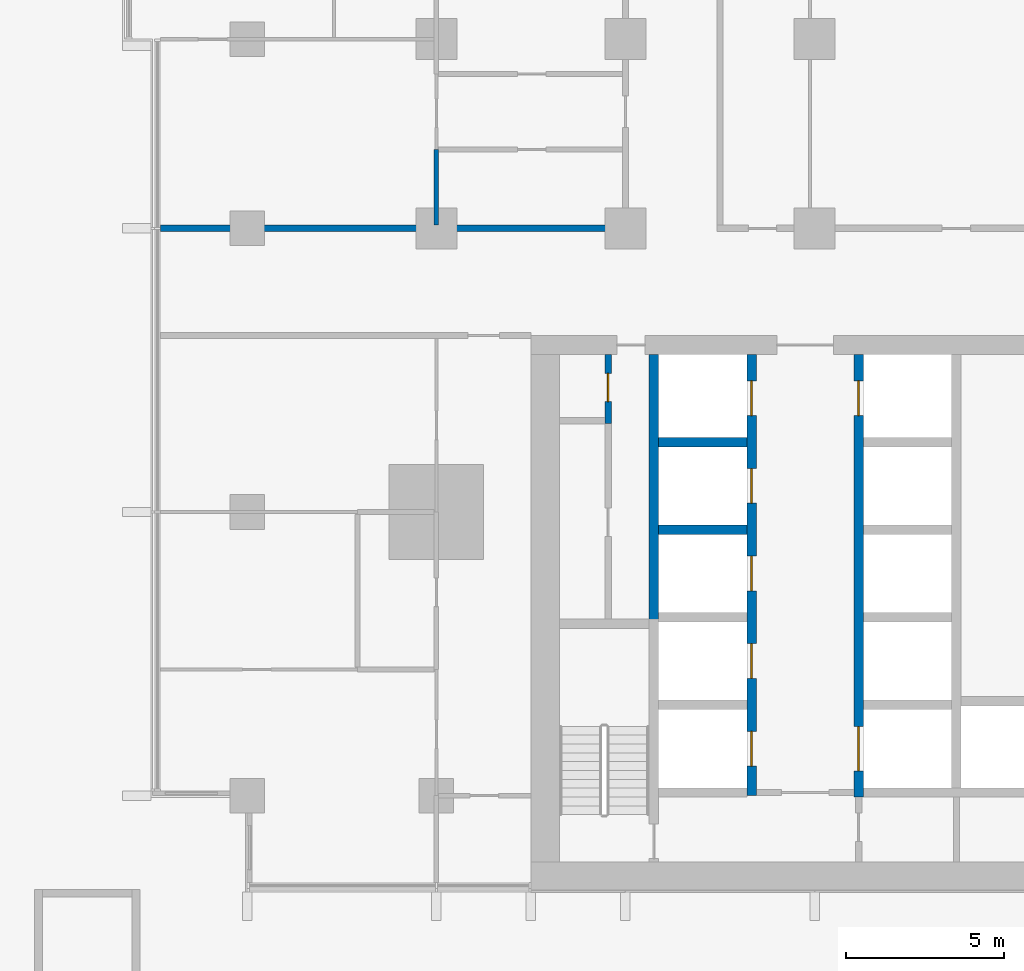
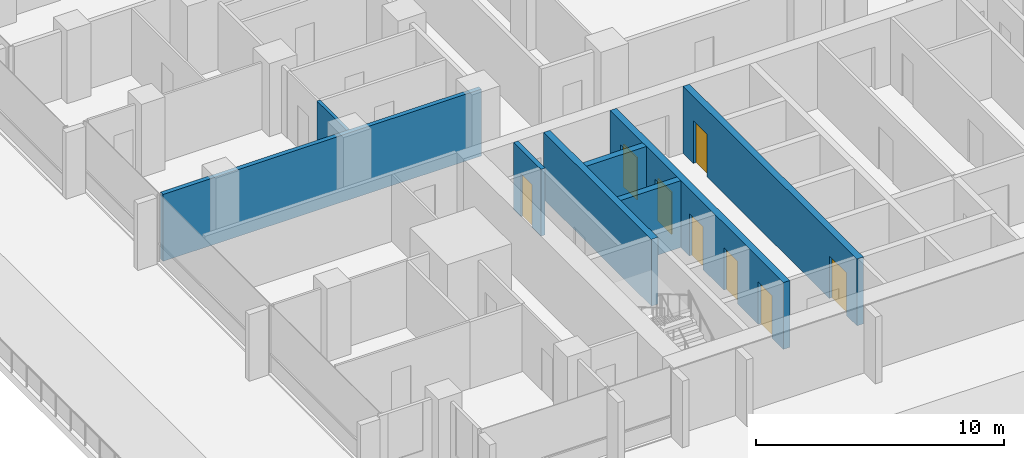
# One storey, part 10 of 25: 8 doors, 8 walls, 8 openings.
"""IFC4 building model written with IfcOpenShell, lengths in metres."""

from ifc_helpers import new_model, si_unit, direction, frame, frame_2d, origin, place, context, subcontext, project, spatial, rectangle, extrude, material, layer, layer_set, type_object, element, fill, save


model = new_model("IFC4")

# Units and contexts
model_context = context("Model", 3, precision=1e-05, world=origin(), true_north=direction((0.0, 1.0)))
body_context = subcontext(model_context, "Body", "Model", "MODEL_VIEW")
ifc_project = project(units=[si_unit("LENGTHUNIT", "METRE"), si_unit("AREAUNIT", "SQUARE_METRE"), si_unit("VOLUMEUNIT", "CUBIC_METRE"), si_unit("PLANEANGLEUNIT", "RADIAN"), si_unit("MASSUNIT", "GRAM", prefix="KILO")], contexts=[model_context])

# Site, building, storey
site_placement = place(None, origin())
site = spatial("IfcSite", under=ifc_project, at=site_placement, CompositionType="ELEMENT")
building_placement = place(site_placement, origin())
building = spatial("IfcBuilding", under=site, at=building_placement, Name="Finial Court Residences", CompositionType="ELEMENT")
storey_placement = place(building_placement, frame((0.0, 0.0, 32.5)))
storey = spatial("IfcBuildingStorey", under=building, at=storey_placement, Name="L06", CompositionType="ELEMENT", Elevation=32.5)

# Walls
ifc_material_1 = material(Name="Gypsum board")
ifc_layer_1 = layer(ifc_material_1, 0.02490234375)
ifc_material_2 = material(Name="Acoustic mineral wool in double frame")
ifc_layer_2 = layer(ifc_material_2, 0.14990234375)
ifc_layer_3 = layer(ifc_material_1, 0.02490234375)
ifc_layer_set_1 = layer_set([ifc_layer_1, ifc_layer_2, ifc_layer_3], Name="Corridor wall 200, 1 hour")
wall_type_1 = type_object("IfcWallType", Name="Corridor wall 200, 1 hour", PredefinedType="PARTITIONING", material=ifc_layer_set_1)
wall_1_placement = place(storey_placement, frame((-25.25, -4.5, 0.0), z_axis=(0.0, 0.0, 1.0), x_axis=(1.0, 0.0, 0.0)))
element("IfcWall", 1, at=wall_1_placement, inside=storey, type_object=wall_type_1, Name="Partition L06-011", PredefinedType="PARTITIONING", context=body_context, shape_type="SweptSolid", body=[
    extrude(rectangle(XDim=14.85009765625, YDim=0.199951171875, at=frame_2d((7.425048828125, 0.0))), origin(), (0.0, 0.0, 1.0), 3.300048828125),
])
ifc_material_3 = material(Name="Moisture-resistant gypsum board")
ifc_layer_4 = layer(ifc_material_3, 0.012451171875)
ifc_material_4 = material(Name="Mineral wool in light-gauge frame")
ifc_layer_5 = layer(ifc_material_4, 0.125)
ifc_layer_6 = layer(ifc_material_3, 0.012451171875)
ifc_layer_set_2 = layer_set([ifc_layer_4, ifc_layer_5, ifc_layer_6], Name="Gypsum board wet-area partition 150")
wall_type_2 = type_object("IfcWallType", Name="Gypsum board wet-area partition 150", PredefinedType="PARTITIONING", material=ifc_layer_set_2)
wall_2_placement = place(storey_placement, frame((-16.5, -4.39990234375, 0.0), z_axis=(0.0, 0.0, 1.0), x_axis=(0.0, 1.0, 0.0)))
element("IfcWall", 2, at=wall_2_placement, inside=storey, type_object=wall_type_2, Name="Partition L06-058", PredefinedType="PARTITIONING", context=body_context, shape_type="SweptSolid", body=[
    extrude(rectangle(XDim=2.39990234375, YDim=0.14990234375, at=frame_2d((1.199951171875, 0.0))), origin(), (0.0, 0.0, 1.0), 3.300048828125),
])
ifc_material_5 = material(Name="Concrete C80/95", Category="concrete")
ifc_layer_7 = layer(ifc_material_5, 0.300048828125)
ifc_layer_set_3 = layer_set([ifc_layer_7], Name="Lift shaft and stair wall 300 Concrete C80/95")
wall_type_3 = type_object("IfcWallType", Name="Lift shaft and stair wall 300 Concrete C80/95", PredefinedType="SHEAR", material=ifc_layer_set_3)
for number, where, z_axis, x_axis, name in (
    (3, (-9.449951171875, -14.06005859375, 0.0), (0.0, 0.0, 1.0), (1.0, 0.0, 0.0), "Core wall L06-14"),
    (4, (-9.449951171875, -11.280029296875, 0.0), (0.0, 0.0, 1.0), (1.0, 0.0, 0.0), "Core wall L06-17"),
):
    element("IfcWall", number, at=place(storey_placement, frame(where, z_axis=z_axis, x_axis=x_axis)), inside=storey, type_object=wall_type_3, Name=name, PredefinedType="SHEAR", context=body_context, shape_type="SweptSolid", body=[
        extrude(rectangle(XDim=2.800048828125, YDim=0.300048828125, at=frame_2d((1.39990234375, 0.0))), origin(), (0.0, 0.0, 1.0), 3.300048828125),
    ])
wall_3_placement = place(storey_placement, frame((-9.60009765625, -17.199951171875, 0.0), z_axis=(0.0, 0.0, 1.0), x_axis=(0.0, 1.0, 0.0)))
element("IfcWall", 5, at=wall_3_placement, inside=storey, type_object=wall_type_3, Name="Core wall L06-24", PredefinedType="SHEAR", context=body_context, shape_type="SweptSolid", body=[
    extrude(rectangle(XDim=8.699951171875, YDim=0.300048828125, at=frame_2d((4.35009765625, 0.0))), origin(), (0.0, 0.0, 1.0), 3.300048828125),
])

# Wall, openings, doors
wall_4_placement = place(storey_placement, frame((-6.5, -22.5, 0.0), z_axis=(0.0, 0.0, 1.0), x_axis=(0.0, 1.0, 0.0)))
wall_4 = element("IfcWall", 6, at=wall_4_placement, inside=storey, type_object=wall_type_3, Name="Core wall L06-25", PredefinedType="SHEAR", context=body_context, shape_type="SweptSolid", body=[
    extrude(rectangle(XDim=14.0, YDim=0.300048828125, at=frame_2d((7.0, 0.0))), origin(), (0.0, 0.0, 1.0), 3.300048828125),
])
opening_1_placement = place(wall_4_placement, frame((0.93994140625, 0.0, 0.0)))
opening_1 = element("IfcOpeningElement", 7, at=opening_1_placement, cuts=wall_4, Name="Opening L06-LD03", PredefinedType="OPENING", context=body_context, shape_type="SweptSolid", body=[
    extrude(rectangle(XDim=1.10009765625, YDim=2.10009765625, at=frame_2d((0.550048828125, 1.050048828125))), frame((0.0, 0.159912109375, 0.0), z_axis=(0.0, -1.0, 0.0), x_axis=(1.0, 0.0, 0.0)), (0.0, 0.0, 1.0), 0.320068359375),
])
opening_2_placement = place(wall_4_placement, frame((3.719970703125, 0.0, 0.0)))
opening_2 = element("IfcOpeningElement", 8, at=opening_2_placement, cuts=wall_4, Name="Opening L06-LD04", PredefinedType="OPENING", context=body_context, shape_type="SweptSolid", body=[
    extrude(rectangle(XDim=1.10009765625, YDim=2.10009765625, at=frame_2d((0.550048828125, 1.050048828125))), frame((0.0, 0.159912109375, 0.0), z_axis=(0.0, -1.0, 0.0), x_axis=(1.0, 0.0, 0.0)), (0.0, 0.0, 1.0), 0.320068359375),
])
opening_3_placement = place(wall_4_placement, frame((6.5, 0.0, 0.0)))
opening_3 = element("IfcOpeningElement", 9, at=opening_3_placement, cuts=wall_4, Name="Opening L06-LD05", PredefinedType="OPENING", context=body_context, shape_type="SweptSolid", body=[
    extrude(rectangle(XDim=1.10009765625, YDim=2.10009765625, at=frame_2d((0.550048828125, 1.050048828125))), frame((0.0, 0.159912109375, 0.0), z_axis=(0.0, -1.0, 0.0), x_axis=(1.0, 0.0, 0.0)), (0.0, 0.0, 1.0), 0.320068359375),
])
opening_4_placement = place(wall_4_placement, frame((9.280029296875, 0.0, 0.0)))
opening_4 = element("IfcOpeningElement", 10, at=opening_4_placement, cuts=wall_4, Name="Opening L06-LD06", PredefinedType="OPENING", context=body_context, shape_type="SweptSolid", body=[
    extrude(rectangle(XDim=1.10009765625, YDim=2.10009765625, at=frame_2d((0.550048828125, 1.050048828125))), frame((0.0, 0.159912109375, 0.0), z_axis=(0.0, -1.0, 0.0), x_axis=(1.0, 0.0, 0.0)), (0.0, 0.0, 1.0), 0.320068359375),
])
opening_5_placement = place(wall_4_placement, frame((12.06005859375, 0.0, 0.0)))
opening_5 = element("IfcOpeningElement", 11, at=opening_5_placement, cuts=wall_4, Name="Opening L06-LD07", PredefinedType="OPENING", context=body_context, shape_type="SweptSolid", body=[
    extrude(rectangle(XDim=1.10009765625, YDim=2.10009765625, at=frame_2d((0.550048828125, 1.050048828125))), frame((0.0, 0.159912109375, 0.0), z_axis=(0.0, -1.0, 0.0), x_axis=(1.0, 0.0, 0.0)), (0.0, 0.0, 1.0), 0.320068359375),
])
ifc_material_6 = material(Name="Stainless steel lift door", Category="steel")
door_type_1 = type_object("IfcDoorType", Name="Lift landing door 1100 x 2100 EI 90", OperationType="DOUBLE_DOOR_SLIDING", PredefinedType="DOOR", material=ifc_material_6)
door_1_placement = place(opening_1_placement, origin())
door_1 = element("IfcDoor", 12, at=door_1_placement, inside=storey, type_object=door_type_1, Name="Lift landing door LR1 L06", OperationType="DOUBLE_DOOR_SLIDING", OverallHeight=2.10009765625, OverallWidth=1.10009765625, PredefinedType="DOOR", context=body_context, shape_type="SweptSolid", body=[
    extrude(rectangle(XDim=1.10009765625, YDim=2.10009765625, at=frame_2d((0.550048828125, 1.050048828125))), frame((0.0, 0.02490234375, 0.0), z_axis=(0.0, -1.0, 0.0), x_axis=(1.0, 0.0, 0.0)), (0.0, 0.0, 1.0), 0.050048828125),
])
fill(opening_1, door_1)
door_2_placement = place(opening_2_placement, origin())
door_2 = element("IfcDoor", 13, at=door_2_placement, inside=storey, type_object=door_type_1, Name="Lift landing door LR2 L06", OperationType="DOUBLE_DOOR_SLIDING", OverallHeight=2.10009765625, OverallWidth=1.10009765625, PredefinedType="DOOR", context=body_context, shape_type="SweptSolid", body=[
    extrude(rectangle(XDim=1.10009765625, YDim=2.10009765625, at=frame_2d((0.550048828125, 1.050048828125))), frame((0.0, 0.02490234375, 0.0), z_axis=(0.0, -1.0, 0.0), x_axis=(1.0, 0.0, 0.0)), (0.0, 0.0, 1.0), 0.050048828125),
])
fill(opening_2, door_2)
door_3_placement = place(opening_3_placement, origin())
door_3 = element("IfcDoor", 14, at=door_3_placement, inside=storey, type_object=door_type_1, Name="Lift landing door LR3 L06", OperationType="DOUBLE_DOOR_SLIDING", OverallHeight=2.10009765625, OverallWidth=1.10009765625, PredefinedType="DOOR", context=body_context, shape_type="SweptSolid", body=[
    extrude(rectangle(XDim=1.10009765625, YDim=2.10009765625, at=frame_2d((0.550048828125, 1.050048828125))), frame((0.0, 0.02490234375, 0.0), z_axis=(0.0, -1.0, 0.0), x_axis=(1.0, 0.0, 0.0)), (0.0, 0.0, 1.0), 0.050048828125),
])
fill(opening_3, door_3)
door_4_placement = place(opening_4_placement, origin())
door_4 = element("IfcDoor", 15, at=door_4_placement, inside=storey, type_object=door_type_1, Name="Lift landing door LR4 L06", OperationType="DOUBLE_DOOR_SLIDING", OverallHeight=2.10009765625, OverallWidth=1.10009765625, PredefinedType="DOOR", context=body_context, shape_type="SweptSolid", body=[
    extrude(rectangle(XDim=1.10009765625, YDim=2.10009765625, at=frame_2d((0.550048828125, 1.050048828125))), frame((0.0, 0.02490234375, 0.0), z_axis=(0.0, -1.0, 0.0), x_axis=(1.0, 0.0, 0.0)), (0.0, 0.0, 1.0), 0.050048828125),
])
fill(opening_4, door_4)
door_5_placement = place(opening_5_placement, origin())
door_5 = element("IfcDoor", 16, at=door_5_placement, inside=storey, type_object=door_type_1, Name="Lift landing door LR5 L06", OperationType="DOUBLE_DOOR_SLIDING", OverallHeight=2.10009765625, OverallWidth=1.10009765625, PredefinedType="DOOR", context=body_context, shape_type="SweptSolid", body=[
    extrude(rectangle(XDim=1.10009765625, YDim=2.10009765625, at=frame_2d((0.550048828125, 1.050048828125))), frame((0.0, 0.02490234375, 0.0), z_axis=(0.0, -1.0, 0.0), x_axis=(1.0, 0.0, 0.0)), (0.0, 0.0, 1.0), 0.050048828125),
])
fill(opening_5, door_5)

wall_5_placement = place(storey_placement, frame((-3.10009765625, -22.550048828125, 0.0), z_axis=(0.0, 0.0, 1.0), x_axis=(0.0, 1.0, 0.0)))
wall_5 = element("IfcWall", 17, at=wall_5_placement, inside=storey, type_object=wall_type_3, Name="Core wall L06-27", PredefinedType="SHEAR", context=body_context, shape_type="SweptSolid", body=[
    extrude(rectangle(XDim=14.050048828125, YDim=0.300048828125, at=frame_2d((7.02490234375, 0.0))), origin(), (0.0, 0.0, 1.0), 3.300048828125),
])
opening_6_placement = place(wall_5_placement, frame((12.110107421875, 0.0, 0.0)))
opening_6 = element("IfcOpeningElement", 18, at=opening_6_placement, cuts=wall_5, Name="Opening L06-LD08", PredefinedType="OPENING", context=body_context, shape_type="SweptSolid", body=[
    extrude(rectangle(XDim=1.10009765625, YDim=2.10009765625, at=frame_2d((0.550048828125, 1.050048828125))), frame((0.0, 0.159912109375, 0.0), z_axis=(0.0, -1.0, 0.0), x_axis=(1.0, 0.0, 0.0)), (0.0, 0.0, 1.0), 0.320068359375),
])
opening_7_placement = place(wall_5_placement, frame((0.840087890625, 0.0, 0.0)))
opening_7 = element("IfcOpeningElement", 19, at=opening_7_placement, cuts=wall_5, Name="Opening L06-LD09", PredefinedType="OPENING", context=body_context, shape_type="SweptSolid", body=[
    extrude(rectangle(XDim=1.39990234375, YDim=2.10009765625, at=frame_2d((0.699951171875, 1.050048828125))), frame((0.0, 0.159912109375, 0.0), z_axis=(0.0, -1.0, 0.0), x_axis=(1.0, 0.0, 0.0)), (0.0, 0.0, 1.0), 0.320068359375),
])
door_6_placement = place(opening_6_placement, origin())
door_6 = element("IfcDoor", 20, at=door_6_placement, inside=storey, type_object=door_type_1, Name="Lift landing door LR6 L06", OperationType="DOUBLE_DOOR_SLIDING", OverallHeight=2.10009765625, OverallWidth=1.10009765625, PredefinedType="DOOR", context=body_context, shape_type="SweptSolid", body=[
    extrude(rectangle(XDim=1.10009765625, YDim=2.10009765625, at=frame_2d((0.550048828125, 1.050048828125))), frame((0.0, 0.02490234375, 0.0), z_axis=(0.0, -1.0, 0.0), x_axis=(1.0, 0.0, 0.0)), (0.0, 0.0, 1.0), 0.050048828125),
])
fill(opening_6, door_6)
door_type_2 = type_object("IfcDoorType", Name="Lift landing door 1400 x 2100 EI 90", OperationType="DOUBLE_DOOR_SLIDING", PredefinedType="DOOR", material=ifc_material_6)
door_7_placement = place(opening_7_placement, origin())
door_7 = element("IfcDoor", 21, at=door_7_placement, inside=storey, type_object=door_type_2, Name="Lift landing door SV1 L06", OperationType="DOUBLE_DOOR_SLIDING", OverallHeight=2.10009765625, OverallWidth=1.39990234375, PredefinedType="DOOR", context=body_context, shape_type="SweptSolid", body=[
    extrude(rectangle(XDim=1.39990234375, YDim=2.10009765625, at=frame_2d((0.699951171875, 1.050048828125))), frame((0.0, 0.02490234375, 0.0), z_axis=(0.0, -1.0, 0.0), x_axis=(1.0, 0.0, 0.0)), (0.0, 0.0, 1.0), 0.050048828125),
])
fill(opening_7, door_7)

# Wall, opening, door
ifc_material_7 = material(Name="Fire-rated gypsum board partition")
ifc_layer_8 = layer(ifc_material_7, 0.199951171875)
ifc_layer_set_4 = layer_set([ifc_layer_8], Name="Riser room wall 200 EI 120")
wall_type_4 = type_object("IfcWallType", Name="Riser room wall 200 EI 120", PredefinedType="PARTITIONING", material=ifc_layer_set_4)
wall_6_placement = place(storey_placement, frame((-11.050048828125, -10.699951171875, 0.0), z_axis=(0.0, 0.0, 1.0), x_axis=(0.0, 1.0, 0.0)))
wall_6 = element("IfcWall", 22, at=wall_6_placement, inside=storey, type_object=wall_type_4, Name="Core partition L06-22", PredefinedType="PARTITIONING", context=body_context, shape_type="SweptSolid", body=[
    extrude(rectangle(XDim=2.199951171875, YDim=0.199951171875, at=frame_2d((1.10009765625, 0.0))), origin(), (0.0, 0.0, 1.0), 3.300048828125),
])
opening_8_placement = place(wall_6_placement, frame((0.699951171875, 0.0, 0.0)))
opening_8 = element("IfcOpeningElement", 23, at=opening_8_placement, cuts=wall_6, Name="Opening L06-C07", PredefinedType="OPENING", context=body_context, shape_type="SweptSolid", body=[
    extrude(rectangle(XDim=0.89990234375, YDim=2.10009765625, at=frame_2d((0.449951171875, 1.050048828125))), frame((0.0, 0.10986328125, 0.0), z_axis=(0.0, -1.0, 0.0), x_axis=(1.0, 0.0, 0.0)), (0.0, 0.0, 1.0), 0.219970703125),
])
ifc_material_8 = material(Name="Steel fire door", Category="steel")
door_type_3 = type_object("IfcDoorType", Name="Riser room door 900 x 2100 EI 90", OperationType="NOTDEFINED", PredefinedType="DOOR", material=ifc_material_8)
door_8_placement = place(opening_8_placement, origin())
door_8 = element("IfcDoor", 24, at=door_8_placement, inside=storey, type_object=door_type_3, Name="Riser room door L06-C07", OperationType="SINGLE_SWING_LEFT", OverallHeight=2.10009765625, OverallWidth=0.89990234375, PredefinedType="DOOR", context=body_context, shape_type="SweptSolid", body=[
    extrude(rectangle(XDim=0.89990234375, YDim=2.10009765625, at=frame_2d((0.449951171875, 1.050048828125))), frame((0.0, 0.02490234375, 0.0), z_axis=(0.0, -1.0, 0.0), x_axis=(1.0, 0.0, 0.0)), (0.0, 0.0, 1.0), 0.050048828125),
])
fill(opening_8, door_8)

save(model, "model.ifc")
